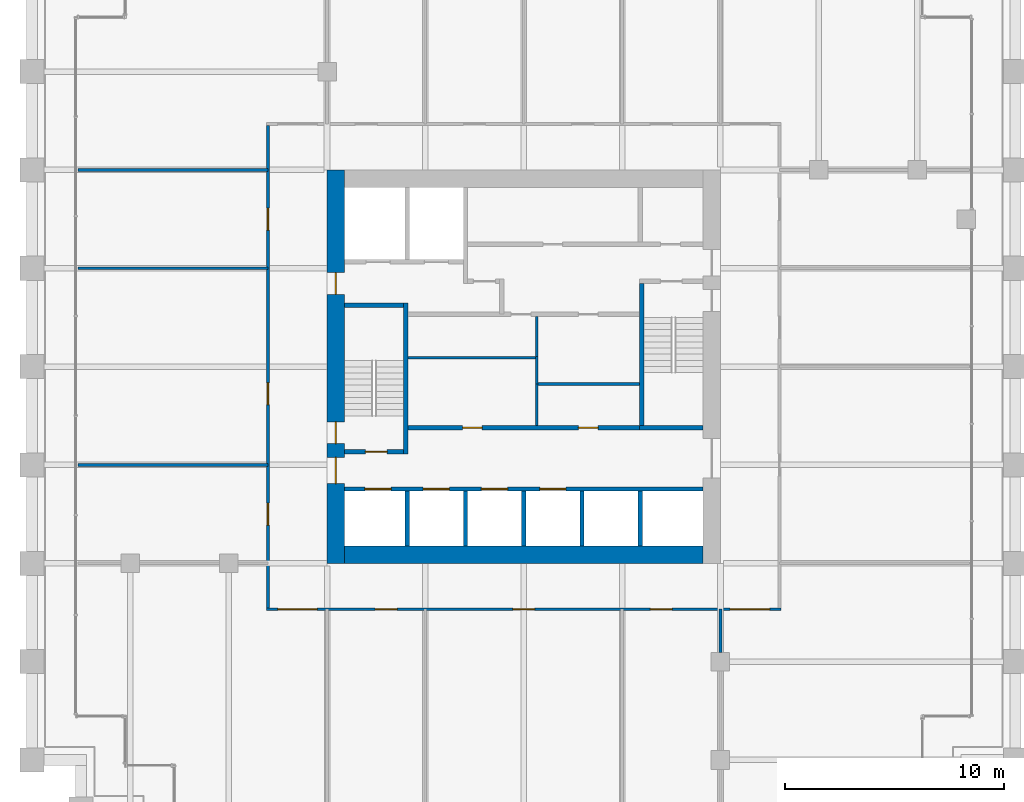
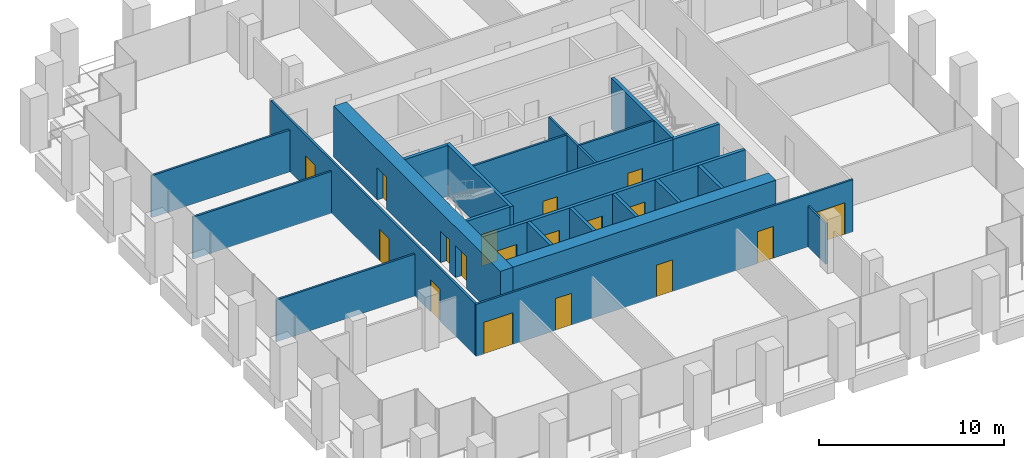
# One storey, part 50 of 56: 25 walls, 18 doors, 18 openings.
"""IFC4 building model written with IfcOpenShell, lengths in metres."""

from ifc_helpers import new_model, si_unit, direction, frame, frame_2d, origin, place, context, subcontext, project, spatial, rectangle, extrude, material, layer, layer_set, type_object, element, fill, save


model = new_model("IFC4")

# Units and contexts
model_context = context("Model", 3, precision=1e-05, world=origin(), true_north=direction((0.0, 1.0)))
body_context = subcontext(model_context, "Body", "Model", "MODEL_VIEW")
ifc_project = project(units=[si_unit("LENGTHUNIT", "METRE"), si_unit("AREAUNIT", "SQUARE_METRE"), si_unit("VOLUMEUNIT", "CUBIC_METRE"), si_unit("PLANEANGLEUNIT", "RADIAN"), si_unit("MASSUNIT", "GRAM", prefix="KILO")], contexts=[model_context])

# Site, building, storey
site_placement = place(None, origin())
site = spatial("IfcSite", under=ifc_project, at=site_placement, CompositionType="ELEMENT")
building_placement = place(site_placement, origin())
building = spatial("IfcBuilding", under=site, at=building_placement, Name="Altepetl Exchange Towers", CompositionType="ELEMENT")
storey_placement = place(building_placement, frame((0.0, 0.0, 54.60009765625)))
storey = spatial("IfcBuildingStorey", under=building, at=storey_placement, Name="L12", CompositionType="ELEMENT", Elevation=54.60009765625)

# Wall
ifc_material_1 = material(Name="Concrete C70/85", Category="concrete")
ifc_layer_1 = layer(ifc_material_1, 0.800048828125)
ifc_layer_set_1 = layer_set([ifc_layer_1], Name="Concrete C70/85")
wall_type_1 = type_object("IfcWallType", Name="Core wall 800 reinforced concrete", PredefinedType="SHEAR", material=ifc_layer_set_1)
wall_1_placement = place(storey_placement, frame((41.300048828125, 40.89990234375, 0.0)))
element("IfcWall", 1, at=wall_1_placement, inside=storey, type_object=wall_type_1, Name="wall:A:L12:K-coreS", PredefinedType="SHEAR", context=body_context, shape_type="SweptSolid", body=[
    extrude(rectangle(XDim=16.39990234375, YDim=0.800048828125, at=frame_2d((8.199951171875, 0.0))), origin(), (0.0, 0.0, 1.0), 3.349853515625),
])

# Wall, openings, doors
wall_2_placement = place(storey_placement, frame((40.89990234375, 40.5, 0.0), z_axis=(0.0, 0.0, 1.0), x_axis=(0.0, 1.0, 0.0)))
wall_2 = element("IfcWall", 2, at=wall_2_placement, inside=storey, type_object=wall_type_1, Name="wall:A:L12:K-coreW", PredefinedType="SHEAR", context=body_context, shape_type="SweptSolid", body=[
    extrude(rectangle(XDim=18.0, YDim=0.800048828125, at=frame_2d((9.0, 0.0))), origin(), (0.0, 0.0, 1.0), 3.349853515625),
])
opening_1_placement = place(wall_2_placement, frame((3.64990234375, 0.0, 0.0)))
opening_1 = element("IfcOpeningElement", 3, at=opening_1_placement, cuts=wall_2, Name="Opening L12.A62", PredefinedType="OPENING", context=body_context, shape_type="SweptSolid", body=[
    extrude(rectangle(XDim=1.199951171875, YDim=2.10009765625, at=frame_2d((0.60009765625, 1.050048828125))), frame((0.0, 0.41015625, 0.0), z_axis=(0.0, -1.0, 0.0), x_axis=(1.0, 0.0, 0.0)), (0.0, 0.0, 1.0), 0.820068359375),
])
opening_2_placement = place(wall_2_placement, frame((5.47509765625, 0.0, 0.0)))
opening_2 = element("IfcOpeningElement", 4, at=opening_2_placement, cuts=wall_2, Name="Opening L12.A64", PredefinedType="OPENING", context=body_context, shape_type="SweptSolid", body=[
    extrude(rectangle(XDim=1.0, YDim=2.10009765625, at=frame_2d((0.5, 1.050048828125))), frame((0.0, 0.41015625, 0.0), z_axis=(0.0, -1.0, 0.0), x_axis=(1.0, 0.0, 0.0)), (0.0, 0.0, 1.0), 0.820068359375),
])
opening_3_placement = place(wall_2_placement, frame((12.300048828125, 0.0, 0.0)))
opening_3 = element("IfcOpeningElement", 5, at=opening_3_placement, cuts=wall_2, Name="Opening L12.A68", PredefinedType="OPENING", context=body_context, shape_type="SweptSolid", body=[
    extrude(rectangle(XDim=1.0, YDim=2.10009765625, at=frame_2d((0.5, 1.050048828125))), frame((0.0, 0.41015625, 0.0), z_axis=(0.0, -1.0, 0.0), x_axis=(1.0, 0.0, 0.0)), (0.0, 0.0, 1.0), 0.820068359375),
])
ifc_material_2 = material(Name="Steel and timber fire door", Category="steel")
door_type_1 = type_object("IfcDoorType", Name="Fire door 1000 x 2100 stair and lobby", OperationType="SINGLE_SWING_LEFT", PredefinedType="DOOR", material=ifc_material_2)
door_1_placement = place(opening_2_placement, frame((1.0, 0.0, 0.0), x_axis=(-1.0, 0.0, 0.0)))
door_1 = element("IfcDoor", 6, at=door_1_placement, inside=storey, type_object=door_type_1, Name="door:A:L12:K-dS1x", OperationType="SINGLE_SWING_RIGHT", OverallHeight=2.10009765625, OverallWidth=1.0, PredefinedType="DOOR", context=body_context, shape_type="SweptSolid", body=[
    extrude(rectangle(XDim=1.0, YDim=2.10009765625, at=frame_2d((0.5, 1.050048828125))), frame((0.0, 0.02490234375, 0.0), z_axis=(0.0, -1.0, 0.0), x_axis=(1.0, 0.0, 0.0)), (0.0, 0.0, 1.0), 0.050048828125),
])
fill(opening_2, door_1)
door_2_placement = place(opening_3_placement, frame((1.0, 0.0, 0.0), x_axis=(-1.0, 0.0, 0.0)))
door_2 = element("IfcDoor", 7, at=door_2_placement, inside=storey, type_object=door_type_1, Name="door:A:L12:K-dffW", OperationType="SINGLE_SWING_LEFT", OverallHeight=2.10009765625, OverallWidth=1.0, PredefinedType="DOOR", context=body_context, shape_type="SweptSolid", body=[
    extrude(rectangle(XDim=1.0, YDim=2.10009765625, at=frame_2d((0.5, 1.050048828125))), frame((0.0, 0.02490234375, 0.0), z_axis=(0.0, -1.0, 0.0), x_axis=(1.0, 0.0, 0.0)), (0.0, 0.0, 1.0), 0.050048828125),
])
fill(opening_3, door_2)
door_type_2 = type_object("IfcDoorType", Name="Fire door 1200 x 2100 lobby entry", OperationType="SINGLE_SWING_LEFT", PredefinedType="DOOR", material=ifc_material_2)
door_3_placement = place(opening_1_placement, frame((1.199951171875, 0.0, 0.0), x_axis=(-1.0, 0.0, 0.0)))
door_3 = element("IfcDoor", 8, at=door_3_placement, inside=storey, type_object=door_type_2, Name="door:A:L12:K-dLSW", OperationType="SINGLE_SWING_LEFT", OverallHeight=2.10009765625, OverallWidth=1.199951171875, PredefinedType="DOOR", context=body_context, shape_type="SweptSolid", body=[
    extrude(rectangle(XDim=1.199951171875, YDim=2.10009765625, at=frame_2d((0.60009765625, 1.050048828125))), frame((0.0, 0.02490234375, 0.0), z_axis=(0.0, -1.0, 0.0), x_axis=(1.0, 0.0, 0.0)), (0.0, 0.0, 1.0), 0.050048828125),
])
fill(opening_1, door_3)

ifc_material_3 = material(Name="Concrete blockwork", Category="masonry")
ifc_layer_2 = layer(ifc_material_3, 0.199951171875)
ifc_layer_set_2 = layer_set([ifc_layer_2], Name="Concrete blockwork")
wall_type_2 = type_object("IfcWallType", Name="Lobby wall 200 blockwork", PredefinedType="PARTITIONING", material=ifc_layer_set_2)
wall_3_placement = place(storey_placement, frame((44.199951171875, 46.699951171875, 0.0)))
wall_3 = element("IfcWall", 9, at=wall_3_placement, inside=storey, type_object=wall_type_2, Name="wall:A:L12:K-zoneS", PredefinedType="PARTITIONING", context=body_context, shape_type="SweptSolid", body=[
    extrude(rectangle(XDim=10.60009765625, YDim=0.199951171875, at=frame_2d((5.300048828125, 0.0))), origin(), (0.0, 0.0, 1.0), 3.349853515625),
])
opening_4_placement = place(wall_3_placement, frame((2.5, 0.0, 0.0)))
opening_4 = element("IfcOpeningElement", 10, at=opening_4_placement, cuts=wall_3, Name="Opening L12.A71", PredefinedType="OPENING", context=body_context, shape_type="SweptSolid", body=[
    extrude(rectangle(XDim=0.89990234375, YDim=2.10009765625, at=frame_2d((0.449951171875, 1.050048828125))), frame((0.0, 0.10986328125, 0.0), z_axis=(0.0, -1.0, 0.0), x_axis=(1.0, 0.0, 0.0)), (0.0, 0.0, 1.0), 0.219970703125),
])
opening_5_placement = place(wall_3_placement, frame((7.800048828125, 0.0, 0.0)))
opening_5 = element("IfcOpeningElement", 11, at=opening_5_placement, cuts=wall_3, Name="Opening L12.A73", PredefinedType="OPENING", context=body_context, shape_type="SweptSolid", body=[
    extrude(rectangle(XDim=0.89990234375, YDim=2.10009765625, at=frame_2d((0.449951171875, 1.050048828125))), frame((0.0, 0.10986328125, 0.0), z_axis=(0.0, -1.0, 0.0), x_axis=(1.0, 0.0, 0.0)), (0.0, 0.0, 1.0), 0.219970703125),
])
door_type_3 = type_object("IfcDoorType", Name="Fire door 900 x 2100 service room", OperationType="SINGLE_SWING_LEFT", PredefinedType="DOOR", material=ifc_material_2)
door_4_placement = place(opening_4_placement, origin())
door_4 = element("IfcDoor", 12, at=door_4_placement, inside=storey, type_object=door_type_3, Name="door:A:L12:K-dz1", OperationType="SINGLE_SWING_RIGHT", OverallHeight=2.10009765625, OverallWidth=0.89990234375, PredefinedType="DOOR", context=body_context, shape_type="SweptSolid", body=[
    extrude(rectangle(XDim=0.89990234375, YDim=2.10009765625, at=frame_2d((0.449951171875, 1.050048828125))), frame((0.0, 0.02490234375, 0.0), z_axis=(0.0, -1.0, 0.0), x_axis=(1.0, 0.0, 0.0)), (0.0, 0.0, 1.0), 0.050048828125),
])
fill(opening_4, door_4)
door_5_placement = place(opening_5_placement, origin())
door_5 = element("IfcDoor", 13, at=door_5_placement, inside=storey, type_object=door_type_3, Name="door:A:L12:K-dz3", OperationType="SINGLE_SWING_RIGHT", OverallHeight=2.10009765625, OverallWidth=0.89990234375, PredefinedType="DOOR", context=body_context, shape_type="SweptSolid", body=[
    extrude(rectangle(XDim=0.89990234375, YDim=2.10009765625, at=frame_2d((0.449951171875, 1.050048828125))), frame((0.0, 0.02490234375, 0.0), z_axis=(0.0, -1.0, 0.0), x_axis=(1.0, 0.0, 0.0)), (0.0, 0.0, 1.0), 0.050048828125),
])
fill(opening_5, door_5)

# Walls
ifc_material_4 = material(Name="Gypsum board on steel studs", Category="steel")
ifc_layer_3 = layer(ifc_material_4, 0.125)
ifc_layer_set_3 = layer_set([ifc_layer_3], Name="Gypsum board on steel studs")
wall_type_3 = type_object("IfcWallType", Name="Partition 125 gypsum board on steel studs", PredefinedType="PARTITIONING", material=ifc_layer_set_3)
wall_4_placement = place(storey_placement, frame((50.10009765625, 46.800048828125, 0.0), z_axis=(0.0, 0.0, 1.0), x_axis=(0.0, 1.0, 0.0)))
element("IfcWall", 14, at=wall_4_placement, inside=storey, type_object=wall_type_3, Name="wall:A:L12:K-zp1", PredefinedType="PARTITIONING", context=body_context, shape_type="SweptSolid", body=[
    extrude(rectangle(XDim=1.96240234375, YDim=0.125, at=frame_2d((0.981201171875, 0.0))), origin(), (0.0, 0.0, 1.0), 3.349853515625),
])
wall_5_placement = place(storey_placement, frame((54.800048828125, 48.699951171875, 0.0), z_axis=(0.0, 0.0, 1.0), x_axis=(-1.0, 0.0, 0.0)))
element("IfcWall", 15, at=wall_5_placement, inside=storey, type_object=wall_type_3, Name="wall:A:L12:K-zp2", PredefinedType="PARTITIONING", context=body_context, shape_type="SweptSolid", body=[
    extrude(rectangle(XDim=4.637451171875, YDim=0.125, at=frame_2d((2.31884765625, 0.0))), origin(), (0.0, 0.0, 1.0), 3.349853515625),
])
wall_6_placement = place(storey_placement, frame((50.10009765625, 48.699951171875, 0.0), z_axis=(0.0, 0.0, 1.0), x_axis=(0.0, 1.0, 0.0)))
element("IfcWall", 16, at=wall_6_placement, inside=storey, type_object=wall_type_3, Name="wall:A:L12:K-zp3", PredefinedType="PARTITIONING", context=body_context, shape_type="SweptSolid", body=[
    extrude(rectangle(XDim=1.262451171875, YDim=0.125, at=frame_2d((0.63134765625, 0.0))), origin(), (0.0, 0.0, 1.0), 3.349853515625),
])
wall_7_placement = place(storey_placement, frame((50.03759765625, 49.89990234375, 0.0), z_axis=(0.0, 0.0, 1.0), x_axis=(-1.0, 0.0, 0.0)))
element("IfcWall", 17, at=wall_7_placement, inside=storey, type_object=wall_type_3, Name="wall:A:L12:K-zp4", PredefinedType="PARTITIONING", context=body_context, shape_type="SweptSolid", body=[
    extrude(rectangle(XDim=5.837646484375, YDim=0.125, at=frame_2d((2.9189453125, 0.0))), origin(), (0.0, 0.0, 1.0), 3.349853515625),
])
wall_8_placement = place(storey_placement, frame((50.10009765625, 49.89990234375, 0.0), z_axis=(0.0, 0.0, 1.0), x_axis=(0.0, 1.0, 0.0)))
element("IfcWall", 18, at=wall_8_placement, inside=storey, type_object=wall_type_3, Name="wall:A:L12:K-zp5", PredefinedType="PARTITIONING", context=body_context, shape_type="SweptSolid", body=[
    extrude(rectangle(XDim=1.900146484375, YDim=0.125, at=frame_2d((0.9501953125, 0.0))), origin(), (0.0, 0.0, 1.0), 3.349853515625),
])

# Wall, openings, doors
wall_9_placement = place(storey_placement, frame((37.737548828125, 38.39990234375, 0.0)))
wall_9 = element("IfcWall", 19, at=wall_9_placement, inside=storey, type_object=wall_type_3, Name="wall:A:L12:P01", PredefinedType="PARTITIONING", context=body_context, shape_type="SweptSolid", body=[
    extrude(rectangle(XDim=23.52490234375, YDim=0.125, at=frame_2d((11.762451171875, 0.0))), origin(), (0.0, 0.0, 1.0), 3.449951171875),
])
opening_6_placement = place(wall_9_placement, frame((0.512451171875, 0.0, 0.0)))
opening_6 = element("IfcOpeningElement", 20, at=opening_6_placement, cuts=wall_9, Name="Opening L12.A02", PredefinedType="OPENING", context=body_context, shape_type="SweptSolid", body=[
    extrude(rectangle(XDim=1.800048828125, YDim=2.10009765625, at=frame_2d((0.89990234375, 1.050048828125))), frame((0.0, 0.072509765625, 0.0), z_axis=(0.0, -1.0, 0.0), x_axis=(1.0, 0.0, 0.0)), (0.0, 0.0, 1.0), 0.14501953125),
])
opening_7_placement = place(wall_9_placement, frame((4.967529296875, 0.0, 0.0)))
opening_7 = element("IfcOpeningElement", 21, at=opening_7_placement, cuts=wall_9, Name="Opening L12.A03", PredefinedType="OPENING", context=body_context, shape_type="SweptSolid", body=[
    extrude(rectangle(XDim=1.0, YDim=2.10009765625, at=frame_2d((0.5, 1.050048828125))), frame((0.0, 0.072509765625, 0.0), z_axis=(0.0, -1.0, 0.0), x_axis=(1.0, 0.0, 0.0)), (0.0, 0.0, 1.0), 0.14501953125),
])
opening_8_placement = place(wall_9_placement, frame((11.262451171875, 0.0, 0.0)))
opening_8 = element("IfcOpeningElement", 22, at=opening_8_placement, cuts=wall_9, Name="Opening L12.A04", PredefinedType="OPENING", context=body_context, shape_type="SweptSolid", body=[
    extrude(rectangle(XDim=1.0, YDim=2.10009765625, at=frame_2d((0.5, 1.050048828125))), frame((0.0, 0.072509765625, 0.0), z_axis=(0.0, -1.0, 0.0), x_axis=(1.0, 0.0, 0.0)), (0.0, 0.0, 1.0), 0.14501953125),
])
opening_9_placement = place(wall_9_placement, frame((17.5576171875, 0.0, 0.0)))
opening_9 = element("IfcOpeningElement", 23, at=opening_9_placement, cuts=wall_9, Name="Opening L12.A05", PredefinedType="OPENING", context=body_context, shape_type="SweptSolid", body=[
    extrude(rectangle(XDim=1.0, YDim=2.10009765625, at=frame_2d((0.5, 1.050048828125))), frame((0.0, 0.072509765625, 0.0), z_axis=(0.0, -1.0, 0.0), x_axis=(1.0, 0.0, 0.0)), (0.0, 0.0, 1.0), 0.14501953125),
])
opening_10_placement = place(wall_9_placement, frame((21.21240234375, 0.0, 0.0)))
opening_10 = element("IfcOpeningElement", 24, at=opening_10_placement, cuts=wall_9, Name="Opening L12.A06", PredefinedType="OPENING", context=body_context, shape_type="SweptSolid", body=[
    extrude(rectangle(XDim=1.800048828125, YDim=2.10009765625, at=frame_2d((0.89990234375, 1.050048828125))), frame((0.0, 0.072509765625, 0.0), z_axis=(0.0, -1.0, 0.0), x_axis=(1.0, 0.0, 0.0)), (0.0, 0.0, 1.0), 0.14501953125),
])
door_type_4 = type_object("IfcDoorType", Name="Fire door 1000 x 2100 single leaf", OperationType="SINGLE_SWING_LEFT", PredefinedType="DOOR", material=ifc_material_2)
door_6_placement = place(opening_7_placement, frame((1.0, 0.0, 0.0), x_axis=(-1.0, 0.0, 0.0)))
door_6 = element("IfcDoor", 25, at=door_6_placement, inside=storey, type_object=door_type_4, Name="door:A:L12:03", OperationType="SINGLE_SWING_LEFT", OverallHeight=2.10009765625, OverallWidth=1.0, PredefinedType="DOOR", context=body_context, shape_type="SweptSolid", body=[
    extrude(rectangle(XDim=1.0, YDim=2.10009765625, at=frame_2d((0.5, 1.050048828125))), frame((0.0, 0.02490234375, 0.0), z_axis=(0.0, -1.0, 0.0), x_axis=(1.0, 0.0, 0.0)), (0.0, 0.0, 1.0), 0.050048828125),
])
fill(opening_7, door_6)
door_7_placement = place(opening_8_placement, frame((1.0, 0.0, 0.0), x_axis=(-1.0, 0.0, 0.0)))
door_7 = element("IfcDoor", 26, at=door_7_placement, inside=storey, type_object=door_type_4, Name="door:A:L12:04", OperationType="SINGLE_SWING_RIGHT", OverallHeight=2.10009765625, OverallWidth=1.0, PredefinedType="DOOR", context=body_context, shape_type="SweptSolid", body=[
    extrude(rectangle(XDim=1.0, YDim=2.10009765625, at=frame_2d((0.5, 1.050048828125))), frame((0.0, 0.02490234375, 0.0), z_axis=(0.0, -1.0, 0.0), x_axis=(1.0, 0.0, 0.0)), (0.0, 0.0, 1.0), 0.050048828125),
])
fill(opening_8, door_7)
door_8_placement = place(opening_9_placement, frame((1.0, 0.0, 0.0), x_axis=(-1.0, 0.0, 0.0)))
door_8 = element("IfcDoor", 27, at=door_8_placement, inside=storey, type_object=door_type_4, Name="door:A:L12:05", OperationType="SINGLE_SWING_LEFT", OverallHeight=2.10009765625, OverallWidth=1.0, PredefinedType="DOOR", context=body_context, shape_type="SweptSolid", body=[
    extrude(rectangle(XDim=1.0, YDim=2.10009765625, at=frame_2d((0.5, 1.050048828125))), frame((0.0, 0.02490234375, 0.0), z_axis=(0.0, -1.0, 0.0), x_axis=(1.0, 0.0, 0.0)), (0.0, 0.0, 1.0), 0.050048828125),
])
fill(opening_9, door_8)
door_type_5 = type_object("IfcDoorType", Name="Fire door 1800 x 2100 double leaf", OperationType="DOUBLE_DOOR_SINGLE_SWING", PredefinedType="DOOR", material=ifc_material_2)
door_9_placement = place(opening_6_placement, frame((1.800048828125, 0.0, 0.0), x_axis=(-1.0, 0.0, 0.0)))
door_9 = element("IfcDoor", 28, at=door_9_placement, inside=storey, type_object=door_type_5, Name="door:A:L12:02", OperationType="DOUBLE_DOOR_SINGLE_SWING", OverallHeight=2.10009765625, OverallWidth=1.800048828125, PredefinedType="DOOR", context=body_context, shape_type="SweptSolid", body=[
    extrude(rectangle(XDim=1.800048828125, YDim=2.10009765625, at=frame_2d((0.89990234375, 1.050048828125))), frame((0.0, 0.02490234375, 0.0), z_axis=(0.0, -1.0, 0.0), x_axis=(1.0, 0.0, 0.0)), (0.0, 0.0, 1.0), 0.050048828125),
])
fill(opening_6, door_9)
door_10_placement = place(opening_10_placement, frame((1.800048828125, 0.0, 0.0), x_axis=(-1.0, 0.0, 0.0)))
door_10 = element("IfcDoor", 29, at=door_10_placement, inside=storey, type_object=door_type_5, Name="door:A:L12:06", OperationType="DOUBLE_DOOR_SINGLE_SWING", OverallHeight=2.10009765625, OverallWidth=1.800048828125, PredefinedType="DOOR", context=body_context, shape_type="SweptSolid", body=[
    extrude(rectangle(XDim=1.800048828125, YDim=2.10009765625, at=frame_2d((0.89990234375, 1.050048828125))), frame((0.0, 0.02490234375, 0.0), z_axis=(0.0, -1.0, 0.0), x_axis=(1.0, 0.0, 0.0)), (0.0, 0.0, 1.0), 0.050048828125),
])
fill(opening_10, door_10)

# Walls
for number, where, name in (
    (30, (29.10009765625, 45.0, 0.0), "wall:A:L12:P06"),
    (31, (29.10009765625, 54.0, 0.0), "wall:A:L12:P08"),
    (32, (29.10009765625, 58.5, 0.0), "wall:A:L12:P10"),
):
    element("IfcWall", number, at=place(storey_placement, frame(where)), inside=storey, type_object=wall_type_3, Name=name, PredefinedType="PARTITIONING", context=body_context, shape_type="SweptSolid", body=[
        extrude(rectangle(XDim=8.699951171875, YDim=0.125, at=frame_2d((4.35009765625, 0.0))), origin(), (0.0, 0.0, 1.0), 2.765869140625),
    ])

# Wall, openings, doors
wall_10_placement = place(storey_placement, frame((37.800048828125, 38.46240234375, 0.0), z_axis=(0.0, 0.0, 1.0), x_axis=(0.0, 1.0, 0.0)))
wall_10 = element("IfcWall", 33, at=wall_10_placement, inside=storey, type_object=wall_type_3, Name="wall:A:L12:P15", PredefinedType="PARTITIONING", context=body_context, shape_type="SweptSolid", body=[
    extrude(rectangle(XDim=22.0751953125, YDim=0.125, at=frame_2d((11.03759765625, 0.0))), origin(), (0.0, 0.0, 1.0), 3.449951171875),
])
opening_11_placement = place(wall_10_placement, frame((3.78759765625, 0.0, 0.0)))
opening_11 = element("IfcOpeningElement", 34, at=opening_11_placement, cuts=wall_10, Name="Opening L12.A01", PredefinedType="OPENING", context=body_context, shape_type="SweptSolid", body=[
    extrude(rectangle(XDim=1.0, YDim=2.10009765625, at=frame_2d((0.5, 1.050048828125))), frame((0.0, 0.072509765625, 0.0), z_axis=(0.0, -1.0, 0.0), x_axis=(1.0, 0.0, 0.0)), (0.0, 0.0, 1.0), 0.14501953125),
])
opening_12_placement = place(wall_10_placement, frame((17.28759765625, 0.0, 0.0)))
opening_12 = element("IfcOpeningElement", 35, at=opening_12_placement, cuts=wall_10, Name="Opening L12.A16", PredefinedType="OPENING", context=body_context, shape_type="SweptSolid", body=[
    extrude(rectangle(XDim=1.0, YDim=2.10009765625, at=frame_2d((0.5, 1.050048828125))), frame((0.0, 0.072509765625, 0.0), z_axis=(0.0, -1.0, 0.0), x_axis=(1.0, 0.0, 0.0)), (0.0, 0.0, 1.0), 0.14501953125),
])
opening_13_placement = place(wall_10_placement, frame((9.29541015625, 0.0, 0.0)))
opening_13 = element("IfcOpeningElement", 36, at=opening_13_placement, cuts=wall_10, Name="Opening L12.A17", PredefinedType="OPENING", context=body_context, shape_type="SweptSolid", body=[
    extrude(rectangle(XDim=1.0, YDim=2.10009765625, at=frame_2d((0.5, 1.050048828125))), frame((0.0, 0.072509765625, 0.0), z_axis=(0.0, -1.0, 0.0), x_axis=(1.0, 0.0, 0.0)), (0.0, 0.0, 1.0), 0.14501953125),
])
door_11_placement = place(opening_11_placement, origin())
door_11 = element("IfcDoor", 37, at=door_11_placement, inside=storey, type_object=door_type_4, Name="door:A:L12:01", OperationType="SINGLE_SWING_RIGHT", OverallHeight=2.10009765625, OverallWidth=1.0, PredefinedType="DOOR", context=body_context, shape_type="SweptSolid", body=[
    extrude(rectangle(XDim=1.0, YDim=2.10009765625, at=frame_2d((0.5, 1.050048828125))), frame((0.0, 0.02490234375, 0.0), z_axis=(0.0, -1.0, 0.0), x_axis=(1.0, 0.0, 0.0)), (0.0, 0.0, 1.0), 0.050048828125),
])
fill(opening_11, door_11)
door_12_placement = place(opening_12_placement, origin())
door_12 = element("IfcDoor", 38, at=door_12_placement, inside=storey, type_object=door_type_4, Name="door:A:L12:16", OperationType="SINGLE_SWING_LEFT", OverallHeight=2.10009765625, OverallWidth=1.0, PredefinedType="DOOR", context=body_context, shape_type="SweptSolid", body=[
    extrude(rectangle(XDim=1.0, YDim=2.10009765625, at=frame_2d((0.5, 1.050048828125))), frame((0.0, 0.02490234375, 0.0), z_axis=(0.0, -1.0, 0.0), x_axis=(1.0, 0.0, 0.0)), (0.0, 0.0, 1.0), 0.050048828125),
])
fill(opening_12, door_12)
door_13_placement = place(opening_13_placement, origin())
door_13 = element("IfcDoor", 39, at=door_13_placement, inside=storey, type_object=door_type_4, Name="door:A:L12:17", OperationType="SINGLE_SWING_LEFT", OverallHeight=2.10009765625, OverallWidth=1.0, PredefinedType="DOOR", context=body_context, shape_type="SweptSolid", body=[
    extrude(rectangle(XDim=1.0, YDim=2.10009765625, at=frame_2d((0.5, 1.050048828125))), frame((0.0, 0.02490234375, 0.0), z_axis=(0.0, -1.0, 0.0), x_axis=(1.0, 0.0, 0.0)), (0.0, 0.0, 1.0), 0.050048828125),
])
fill(opening_13, door_13)

# Walls
wall_11_placement = place(storey_placement, frame((58.5, 36.425048828125, 0.0), z_axis=(0.0, 0.0, 1.0), x_axis=(0.0, 1.0, 0.0)))
element("IfcWall", 40, at=wall_11_placement, inside=storey, type_object=wall_type_3, Name="wall:A:L12:P27", PredefinedType="PARTITIONING", context=body_context, shape_type="SweptSolid", body=[
    extrude(rectangle(XDim=1.974853515625, YDim=0.125, at=frame_2d((0.9873046875, 0.0))), origin(), (0.0, 0.0, 1.0), 2.67578125),
])
ifc_material_5 = material(Name="Concrete C40/50", Category="concrete")
ifc_layer_4 = layer(ifc_material_5, 0.199951171875)
ifc_layer_set_4 = layer_set([ifc_layer_4], Name="Concrete C40/50")
wall_type_4 = type_object("IfcWallType", Name="Shaft wall 200 reinforced concrete", PredefinedType="SHEAR", material=ifc_layer_set_4)
for number, where, z_axis, x_axis, name in (
    (41, (44.166748046875, 41.300048828125, 0.0), (0.0, 0.0, 1.0), (0.0, 1.0, 0.0), "wall:A:L12:K-divS1"),
    (42, (46.833251953125, 41.300048828125, 0.0), (0.0, 0.0, 1.0), (0.0, 1.0, 0.0), "wall:A:L12:K-divS2"),
    (43, (49.5, 41.300048828125, 0.0), (0.0, 0.0, 1.0), (0.0, 1.0, 0.0), "wall:A:L12:K-divS3"),
    (44, (52.166748046875, 41.300048828125, 0.0), (0.0, 0.0, 1.0), (0.0, 1.0, 0.0), "wall:A:L12:K-divS4"),
    (45, (54.833251953125, 41.300048828125, 0.0), (0.0, 0.0, 1.0), (0.0, 1.0, 0.0), "wall:A:L12:K-divS5"),
):
    element("IfcWall", number, at=place(storey_placement, frame(where, z_axis=z_axis, x_axis=x_axis)), inside=storey, type_object=wall_type_4, Name=name, PredefinedType="SHEAR", context=body_context, shape_type="SweptSolid", body=[
        extrude(rectangle(XDim=2.5, YDim=0.199951171875, at=frame_2d((1.25, 0.0))), origin(), (0.0, 0.0, 1.0), 3.349853515625),
    ])

# Wall, openings, doors
wall_12_placement = place(storey_placement, frame((41.300048828125, 43.89990234375, 0.0)))
wall_12 = element("IfcWall", 46, at=wall_12_placement, inside=storey, type_object=wall_type_4, Name="wall:A:L12:K-frontS", PredefinedType="SHEAR", context=body_context, shape_type="SweptSolid", body=[
    extrude(rectangle(XDim=16.39990234375, YDim=0.199951171875, at=frame_2d((8.199951171875, 0.0))), origin(), (0.0, 0.0, 1.0), 3.349853515625),
])
opening_14_placement = place(wall_12_placement, frame((0.933349609375, 0.0, 0.0)))
opening_14 = element("IfcOpeningElement", 47, at=opening_14_placement, cuts=wall_12, Name="Opening L12.A77", PredefinedType="OPENING", context=body_context, shape_type="SweptSolid", body=[
    extrude(rectangle(XDim=1.199951171875, YDim=2.10009765625, at=frame_2d((0.60009765625, 1.050048828125))), frame((0.0, 0.10986328125, 0.0), z_axis=(0.0, -1.0, 0.0), x_axis=(1.0, 0.0, 0.0)), (0.0, 0.0, 1.0), 0.219970703125),
])
opening_15_placement = place(wall_12_placement, frame((3.60009765625, 0.0, 0.0)))
opening_15 = element("IfcOpeningElement", 48, at=opening_15_placement, cuts=wall_12, Name="Opening L12.A78", PredefinedType="OPENING", context=body_context, shape_type="SweptSolid", body=[
    extrude(rectangle(XDim=1.199951171875, YDim=2.10009765625, at=frame_2d((0.60009765625, 1.050048828125))), frame((0.0, 0.10986328125, 0.0), z_axis=(0.0, -1.0, 0.0), x_axis=(1.0, 0.0, 0.0)), (0.0, 0.0, 1.0), 0.219970703125),
])
opening_16_placement = place(wall_12_placement, frame((6.2666015625, 0.0, 0.0)))
opening_16 = element("IfcOpeningElement", 49, at=opening_16_placement, cuts=wall_12, Name="Opening L12.A79", PredefinedType="OPENING", context=body_context, shape_type="SweptSolid", body=[
    extrude(rectangle(XDim=1.199951171875, YDim=2.10009765625, at=frame_2d((0.60009765625, 1.050048828125))), frame((0.0, 0.10986328125, 0.0), z_axis=(0.0, -1.0, 0.0), x_axis=(1.0, 0.0, 0.0)), (0.0, 0.0, 1.0), 0.219970703125),
])
opening_17_placement = place(wall_12_placement, frame((8.933349609375, 0.0, 0.0)))
opening_17 = element("IfcOpeningElement", 50, at=opening_17_placement, cuts=wall_12, Name="Opening L12.A80", PredefinedType="OPENING", context=body_context, shape_type="SweptSolid", body=[
    extrude(rectangle(XDim=1.199951171875, YDim=2.10009765625, at=frame_2d((0.60009765625, 1.050048828125))), frame((0.0, 0.10986328125, 0.0), z_axis=(0.0, -1.0, 0.0), x_axis=(1.0, 0.0, 0.0)), (0.0, 0.0, 1.0), 0.219970703125),
])
ifc_material_6 = material(Name="Stainless steel", Category="steel")
door_type_6 = type_object("IfcDoorType", Name="Lift landing door 1200 x 2100", OperationType="SLIDING_TO_LEFT", PredefinedType="DOOR", material=ifc_material_6)
door_14_placement = place(opening_14_placement, origin())
door_14 = element("IfcDoor", 51, at=door_14_placement, inside=storey, type_object=door_type_6, Name="Landing door P1", OperationType="SLIDING_TO_LEFT", OverallHeight=2.10009765625, OverallWidth=1.199951171875, PredefinedType="DOOR", context=body_context, shape_type="SweptSolid", body=[
    extrude(rectangle(XDim=1.199951171875, YDim=2.10009765625, at=frame_2d((0.60009765625, 1.050048828125))), frame((0.0, 0.02490234375, 0.0), z_axis=(0.0, -1.0, 0.0), x_axis=(1.0, 0.0, 0.0)), (0.0, 0.0, 1.0), 0.050048828125),
])
fill(opening_14, door_14)
door_15_placement = place(opening_15_placement, origin())
door_15 = element("IfcDoor", 52, at=door_15_placement, inside=storey, type_object=door_type_6, Name="Landing door P2", OperationType="SLIDING_TO_LEFT", OverallHeight=2.10009765625, OverallWidth=1.199951171875, PredefinedType="DOOR", context=body_context, shape_type="SweptSolid", body=[
    extrude(rectangle(XDim=1.199951171875, YDim=2.10009765625, at=frame_2d((0.60009765625, 1.050048828125))), frame((0.0, 0.02490234375, 0.0), z_axis=(0.0, -1.0, 0.0), x_axis=(1.0, 0.0, 0.0)), (0.0, 0.0, 1.0), 0.050048828125),
])
fill(opening_15, door_15)
door_16_placement = place(opening_16_placement, origin())
door_16 = element("IfcDoor", 53, at=door_16_placement, inside=storey, type_object=door_type_6, Name="Landing door P3", OperationType="SLIDING_TO_LEFT", OverallHeight=2.10009765625, OverallWidth=1.199951171875, PredefinedType="DOOR", context=body_context, shape_type="SweptSolid", body=[
    extrude(rectangle(XDim=1.199951171875, YDim=2.10009765625, at=frame_2d((0.60009765625, 1.050048828125))), frame((0.0, 0.02490234375, 0.0), z_axis=(0.0, -1.0, 0.0), x_axis=(1.0, 0.0, 0.0)), (0.0, 0.0, 1.0), 0.050048828125),
])
fill(opening_16, door_16)
door_17_placement = place(opening_17_placement, origin())
door_17 = element("IfcDoor", 54, at=door_17_placement, inside=storey, type_object=door_type_6, Name="Landing door P4", OperationType="SLIDING_TO_LEFT", OverallHeight=2.10009765625, OverallWidth=1.199951171875, PredefinedType="DOOR", context=body_context, shape_type="SweptSolid", body=[
    extrude(rectangle(XDim=1.199951171875, YDim=2.10009765625, at=frame_2d((0.60009765625, 1.050048828125))), frame((0.0, 0.02490234375, 0.0), z_axis=(0.0, -1.0, 0.0), x_axis=(1.0, 0.0, 0.0)), (0.0, 0.0, 1.0), 0.050048828125),
])
fill(opening_17, door_17)

# Walls
ifc_layer_5 = layer(ifc_material_5, 0.199951171875)
ifc_layer_set_5 = layer_set([ifc_layer_5], Name="Concrete C40/50")
wall_type_5 = type_object("IfcWallType", Name="Stair wall 200 reinforced concrete", PredefinedType="SHEAR", material=ifc_layer_set_5)
wall_13_placement = place(storey_placement, frame((44.10009765625, 45.5, 0.0), z_axis=(0.0, 0.0, 1.0), x_axis=(0.0, 1.0, 0.0)))
element("IfcWall", 55, at=wall_13_placement, inside=storey, type_object=wall_type_5, Name="wall:A:L12:K-stS1E", PredefinedType="SHEAR", context=body_context, shape_type="SweptSolid", body=[
    extrude(rectangle(XDim=6.89990234375, YDim=0.199951171875, at=frame_2d((3.449951171875, 0.0))), origin(), (0.0, 0.0, 1.0), 3.349853515625),
])
wall_14_placement = place(storey_placement, frame((41.300048828125, 52.300048828125, 0.0)))
element("IfcWall", 56, at=wall_14_placement, inside=storey, type_object=wall_type_5, Name="wall:A:L12:K-stS1N", PredefinedType="SHEAR", context=body_context, shape_type="SweptSolid", body=[
    extrude(rectangle(XDim=2.699951171875, YDim=0.199951171875, at=frame_2d((1.35009765625, 0.0))), origin(), (0.0, 0.0, 1.0), 3.349853515625),
])

# Wall, opening, door
wall_15_placement = place(storey_placement, frame((41.300048828125, 45.60009765625, 0.0)))
wall_15 = element("IfcWall", 57, at=wall_15_placement, inside=storey, type_object=wall_type_5, Name="wall:A:L12:K-stS1S", PredefinedType="SHEAR", context=body_context, shape_type="SweptSolid", body=[
    extrude(rectangle(XDim=2.699951171875, YDim=0.199951171875, at=frame_2d((1.35009765625, 0.0))), origin(), (0.0, 0.0, 1.0), 3.349853515625),
])
opening_18_placement = place(wall_15_placement, frame((0.949951171875, 0.0, 0.0)))
opening_18 = element("IfcOpeningElement", 58, at=opening_18_placement, cuts=wall_15, Name="Opening L12.A63", PredefinedType="OPENING", context=body_context, shape_type="SweptSolid", body=[
    extrude(rectangle(XDim=1.0, YDim=2.10009765625, at=frame_2d((0.5, 1.050048828125))), frame((0.0, 0.10986328125, 0.0), z_axis=(0.0, -1.0, 0.0), x_axis=(1.0, 0.0, 0.0)), (0.0, 0.0, 1.0), 0.219970703125),
])
door_18_placement = place(opening_18_placement, origin())
door_18 = element("IfcDoor", 59, at=door_18_placement, inside=storey, type_object=door_type_1, Name="door:A:L12:K-dS1in", OperationType="SINGLE_SWING_RIGHT", OverallHeight=2.10009765625, OverallWidth=1.0, PredefinedType="DOOR", context=body_context, shape_type="SweptSolid", body=[
    extrude(rectangle(XDim=1.0, YDim=2.10009765625, at=frame_2d((0.5, 1.050048828125))), frame((0.0, 0.02490234375, 0.0), z_axis=(0.0, -1.0, 0.0), x_axis=(1.0, 0.0, 0.0)), (0.0, 0.0, 1.0), 0.050048828125),
])
fill(opening_18, door_18)

# Walls
wall_16_placement = place(storey_placement, frame((54.800048828125, 46.699951171875, 0.0)))
element("IfcWall", 60, at=wall_16_placement, inside=storey, type_object=wall_type_5, Name="wall:A:L12:K-stS2S", PredefinedType="SHEAR", context=body_context, shape_type="SweptSolid", body=[
    extrude(rectangle(XDim=2.89990234375, YDim=0.199951171875, at=frame_2d((1.449951171875, 0.0))), origin(), (0.0, 0.0, 1.0), 3.349853515625),
])
wall_17_placement = place(storey_placement, frame((54.89990234375, 46.800048828125, 0.0), z_axis=(0.0, 0.0, 1.0), x_axis=(0.0, 1.0, 0.0)))
element("IfcWall", 61, at=wall_17_placement, inside=storey, type_object=wall_type_5, Name="wall:A:L12:K-stS2W", PredefinedType="SHEAR", context=body_context, shape_type="SweptSolid", body=[
    extrude(rectangle(XDim=6.5, YDim=0.199951171875, at=frame_2d((3.25, 0.0))), origin(), (0.0, 0.0, 1.0), 3.349853515625),
])

save(model, "model.ifc")
